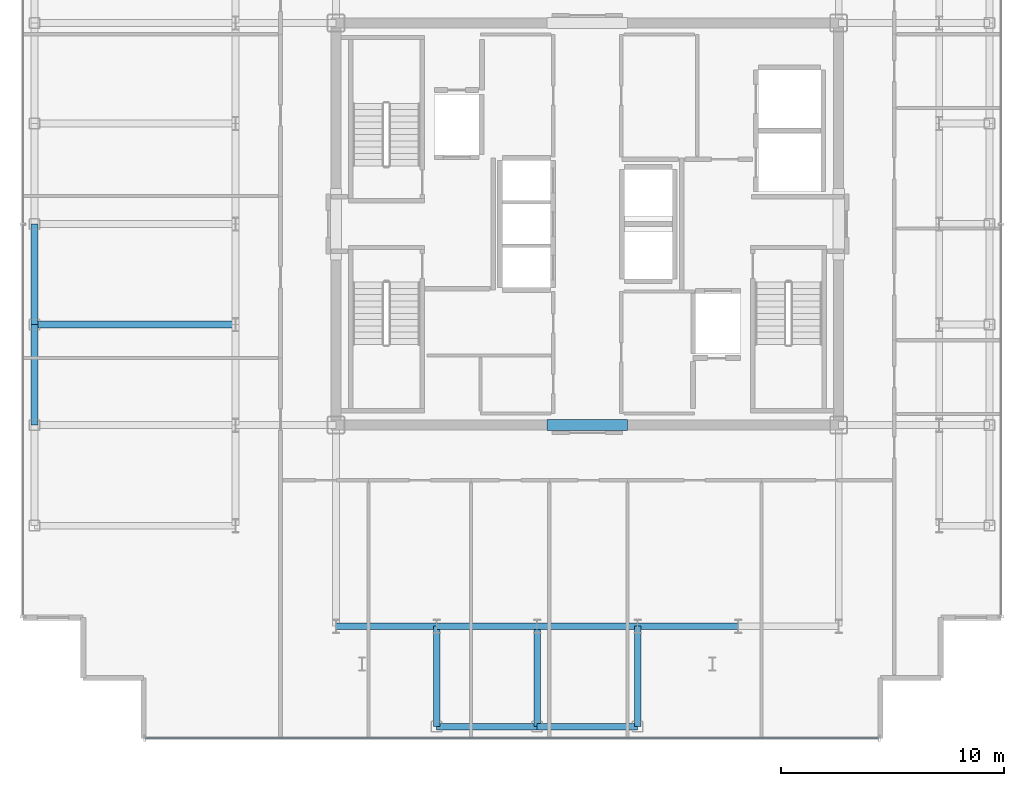
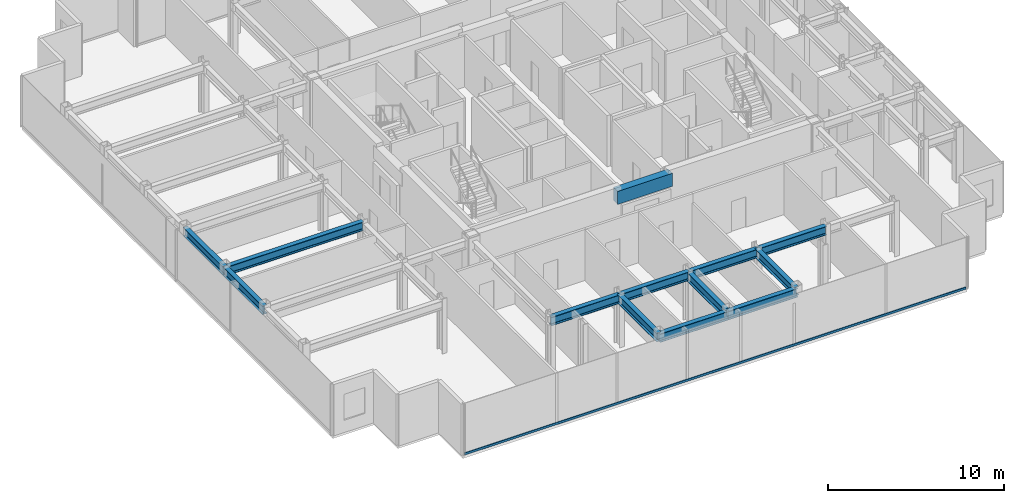
# One storey, part 3 of 18: 13 beams, 1 member, 1 element without a shape of its own.
"""IFC4 building model written with IfcOpenShell, lengths in metres."""

from ifc_helpers import new_model, si_unit, direction, frame, origin, origin_2d, place, context, subcontext, project, spatial, rectangle, hollow_rectangle, i_section, extrude, source, transform, mapped, material, layer, layer_set, material_profile, profile_set, type_object, element, aggregate, save


model = new_model("IFC4")

# Units and contexts
model_context = context("Model", 3, precision=1e-05, world=origin(), true_north=direction((0.0, 1.0)))
body_context = subcontext(model_context, "Body", "Model", "MODEL_VIEW")
ifc_project = project(units=[si_unit("LENGTHUNIT", "METRE"), si_unit("AREAUNIT", "SQUARE_METRE"), si_unit("VOLUMEUNIT", "CUBIC_METRE"), si_unit("PLANEANGLEUNIT", "RADIAN"), si_unit("MASSUNIT", "GRAM", prefix="KILO")], contexts=[model_context])

# Site, building, storey
site_placement = place(None, origin())
site = spatial("IfcSite", under=ifc_project, at=site_placement, CompositionType="ELEMENT")
building_placement = place(site_placement, origin())
building = spatial("IfcBuilding", under=site, at=building_placement, Name="Nefas-Gora Pilgrimage Tower", CompositionType="ELEMENT")
storey_placement = place(building_placement, frame((0.0, 0.0, 291.199951171875)))
storey = spatial("IfcBuildingStorey", under=building, at=storey_placement, Name="L73", CompositionType="ELEMENT", Elevation=291.199951171875)

# Beams
ifc_material_1 = material(Name="Concrete C50/60", Category="concrete")
ifc_material_profile_1 = material_profile(ifc_material_1, rectangle(XDim=0.5, YDim=0.89990234375, at=origin_2d()), Name="RC 500x900")
ifc_profile_set_1 = profile_set([ifc_material_profile_1], Name="Concrete C50/60")
beam_type_1 = type_object("IfcBeamType", Name="BM-LIN-RC900", PredefinedType="LINTEL", material=ifc_profile_set_1)
shared_shape_1 = source(origin(), body_context, "Body", "SweptSolid", [
    extrude(rectangle(XDim=0.5, YDim=0.89990234375, at=origin_2d()), origin(), (0.0, 0.0, 1.0), 3.60009765625),
])
beam_1_placement = place(storey_placement, frame((-1.800048828125, -9.0, 3.10009765625), z_axis=(1.0, 0.0, 0.0), x_axis=(0.0, 1.0, 0.0)))
element("IfcBeam", 1, at=beam_1_placement, inside=storey, type_object=beam_type_1, Name="L73 Core Coupling Lintel Beam S", PredefinedType="LINTEL", context=body_context, shape_type="MappedRepresentation", body=[
    mapped(shared_shape_1, transform((0.0, 0.0, 0.0), x_axis=(1.0, 0.0, 0.0), y_axis=(0.0, 1.0, 0.0), z_axis=(0.0, 0.0, 1.0), scale=1.0)),
])
ifc_material_2 = material(Name="Steel S355", Category="steel")
ifc_material_profile_2 = material_profile(ifc_material_2, i_section(OverallWidth=0.300048828125, OverallDepth=0.60009765625, WebThickness=0.015380859375, FlangeThickness=0.030029296875, FilletRadius=0.027099609375, at=origin_2d()), Name="HEB 600")
ifc_profile_set_2 = profile_set([ifc_material_profile_2], Name="Steel S355")
beam_type_2 = type_object("IfcBeamType", Name="BM-SPN-HEB450", PredefinedType="SPANDREL", material=ifc_profile_set_2)
shared_shape_2 = source(origin(), body_context, "Body", "SweptSolid", [
    extrude(i_section(OverallWidth=0.300048828125, OverallDepth=0.60009765625, WebThickness=0.015380859375, FlangeThickness=0.030029296875, FilletRadius=0.027099609375, at=origin_2d()), origin(), (0.0, 0.0, 1.0), 4.5),
])
for number, where, z_axis, x_axis, name in (
    (2, (-24.75, -9.0, 3.25), (0.0, 1.0, 0.0), (-1.0, 0.0, 0.0), "L73 SP-03 beam"),
    (3, (-24.75, -4.5, 3.25), (0.0, 1.0, 0.0), (-1.0, 0.0, 0.0), "L73 SP-03 beam"),
    (4, (-6.75, -22.5, 3.25), (1.0, 0.0, 0.0), (0.0, 1.0, 0.0), "L73 SP-03 beam"),
    (5, (-2.25, -22.5, 3.25), (1.0, 0.0, 0.0), (0.0, 1.0, 0.0), "L73 SP-03 beam"),
):
    element("IfcBeam", number, at=place(storey_placement, frame(where, z_axis=z_axis, x_axis=x_axis)), inside=storey, type_object=beam_type_2, Name=name, PredefinedType="SPANDREL", context=body_context, shape_type="MappedRepresentation", body=[
        mapped(shared_shape_2, transform((0.0, 0.0, 0.0), x_axis=(1.0, 0.0, 0.0), y_axis=(0.0, 1.0, 0.0), z_axis=(0.0, 0.0, 1.0), scale=1.0)),
    ])
ifc_material_profile_3 = material_profile(ifc_material_2, i_section(OverallWidth=0.300048828125, OverallDepth=0.60009765625, WebThickness=0.015380859375, FlangeThickness=0.030029296875, FilletRadius=0.027099609375, at=origin_2d()), Name="HEB 600")
ifc_profile_set_3 = profile_set([ifc_material_profile_3], Name="Steel S355")
beam_type_3 = type_object("IfcBeamType", Name="BM-GIR-HEB600", PredefinedType="BEAM", material=ifc_profile_set_3)
shared_shape_3 = source(origin(), body_context, "Body", "SweptSolid", [
    extrude(i_section(OverallWidth=0.300048828125, OverallDepth=0.60009765625, WebThickness=0.015380859375, FlangeThickness=0.030029296875, FilletRadius=0.027099609375, at=origin_2d()), origin(), (0.0, 0.0, 1.0), 9.0),
])
beam_2_placement = place(storey_placement, frame((-24.75, -4.5, 3.25), z_axis=(1.0, 0.0, 0.0), x_axis=(0.0, 1.0, 0.0)))
element("IfcBeam", 6, at=beam_2_placement, inside=storey, type_object=beam_type_3, Name="L73 G-04 beam", PredefinedType="BEAM", context=body_context, shape_type="MappedRepresentation", body=[
    mapped(shared_shape_3, transform((0.0, 0.0, 0.0), x_axis=(1.0, 0.0, 0.0), y_axis=(0.0, 1.0, 0.0), z_axis=(0.0, 0.0, 1.0), scale=1.0)),
])
shared_shape_4 = source(origin(), body_context, "Body", "SweptSolid", [
    extrude(i_section(OverallWidth=0.300048828125, OverallDepth=0.60009765625, WebThickness=0.015380859375, FlangeThickness=0.030029296875, FilletRadius=0.027099609375, at=origin_2d()), origin(), (0.0, 0.0, 1.0), 4.5),
])
for number, where, z_axis, x_axis, name in (
    (7, (-11.25, -18.0, 3.25), (1.0, 0.0, 0.0), (0.0, 1.0, 0.0), "L73 G-04 beam"),
    (8, (-6.75, -22.5, 3.25), (0.0, 1.0, 0.0), (-1.0, 0.0, 0.0), "L73 G-04 beam"),
    (9, (-6.75, -18.0, 3.25), (1.0, 0.0, 0.0), (0.0, 1.0, 0.0), "L73 G-04 beam"),
    (10, (-2.25, -22.5, 3.25), (0.0, 1.0, 0.0), (-1.0, 0.0, 0.0), "L73 G-04 beam"),
    (11, (-2.25, -18.0, 3.25), (1.0, 0.0, 0.0), (0.0, 1.0, 0.0), "L73 G-04 beam"),
    (12, (2.25, -22.5, 3.25), (0.0, 1.0, 0.0), (-1.0, 0.0, 0.0), "L73 G-04 beam"),
    (13, (2.25, -18.0, 3.25), (1.0, 0.0, 0.0), (0.0, 1.0, 0.0), "L73 G-04 beam"),
):
    element("IfcBeam", number, at=place(storey_placement, frame(where, z_axis=z_axis, x_axis=x_axis)), inside=storey, type_object=beam_type_3, Name=name, PredefinedType="BEAM", context=body_context, shape_type="MappedRepresentation", body=[
        mapped(shared_shape_4, transform((0.0, 0.0, 0.0), x_axis=(1.0, 0.0, 0.0), y_axis=(0.0, 1.0, 0.0), z_axis=(0.0, 0.0, 1.0), scale=1.0)),
    ])

# Curtain wall, member
ifc_material_3 = material(Name="Dark ceramic-fritted solar-control aluminium-glass curtain wall", Category="aluminium")
ifc_layer = layer(ifc_material_3, 0.219970703125)
ifc_layer_set = layer_set([ifc_layer], Name="Dark ceramic-fritted solar-control aluminium-glass curtain wall")
curtain_wall_type = type_object("IfcCurtainWallType", Name="CW-SYS-4", PredefinedType="NOTDEFINED", material=ifc_layer_set)
curtain_wall_placement = place(storey_placement, origin())
curtain_wall = element("IfcCurtainWall", 14, at=curtain_wall_placement, inside=storey, type_object=curtain_wall_type, Name="L73 Unitised Curtain Wall CW4", PredefinedType="NOTDEFINED")
ifc_material_4 = material(Name="Anodised architectural aluminium", Category="aluminium")
ifc_material_profile_4 = material_profile(ifc_material_4, hollow_rectangle(XDim=0.080078125, YDim=0.159912109375, WallThickness=0.00439453125, InnerFilletRadius=0.00439453125, OuterFilletRadius=0.009033203125, at=origin_2d()), Name="ALU TRANSOM 80x160")
ifc_profile_set_4 = profile_set([ifc_material_profile_4], Name="Anodised architectural aluminium")
member_type = type_object("IfcMemberType", Name="CWM-TRN-4", PredefinedType="USERDEFINED", material=ifc_profile_set_4)
shared_shape_5 = source(origin(), body_context, "Body", "SweptSolid", [
    extrude(hollow_rectangle(XDim=0.080078125, YDim=0.159912109375, WallThickness=0.00439453125, InnerFilletRadius=0.00439453125, OuterFilletRadius=0.009033203125, at=origin_2d()), origin(), (0.0, 0.0, 1.0), 32.81005859375),
])
member_placement = place(storey_placement, frame((-19.780029296875, -23.02001953125, 0.050048828125), z_axis=(1.0, 0.0, 0.0), x_axis=(0.0, 1.0, 0.0)))
member = element("IfcMember", 15, at=member_placement, type_object=member_type, Name="CW4 Spandrel Transom", ObjectType="TRANSOM", PredefinedType="USERDEFINED", context=body_context, shape_type="MappedRepresentation", body=[
    mapped(shared_shape_5, transform((0.0, 0.0, 0.0), x_axis=(1.0, 0.0, 0.0), y_axis=(0.0, 1.0, 0.0), z_axis=(0.0, 0.0, 1.0), scale=1.0)),
])
aggregate(curtain_wall, [member])

save(model, "model.ifc")
